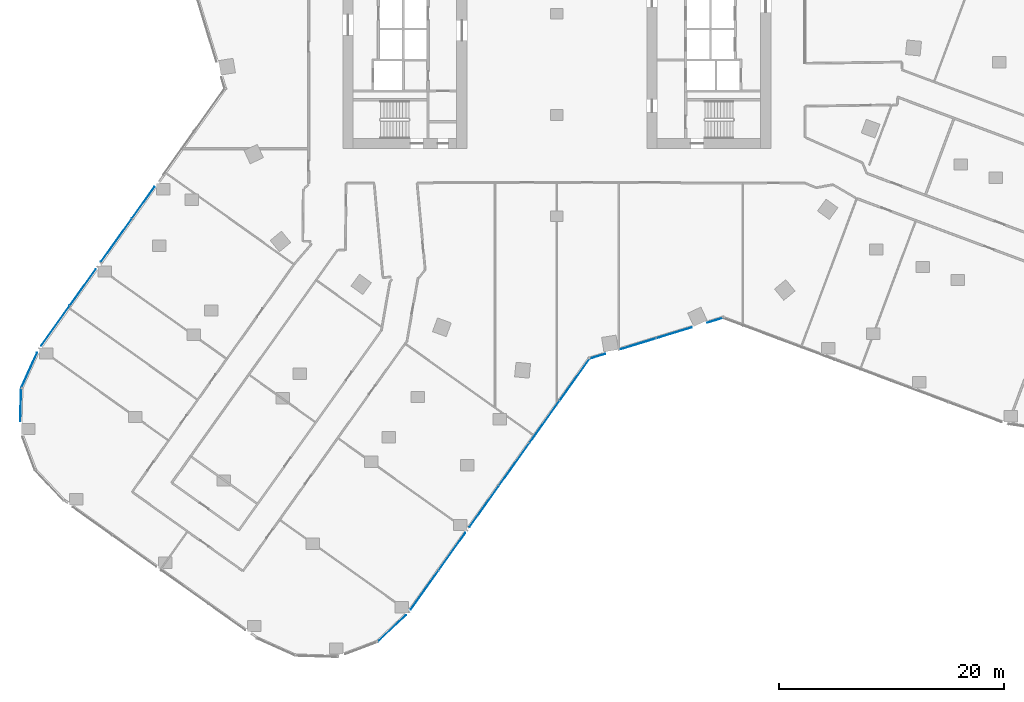
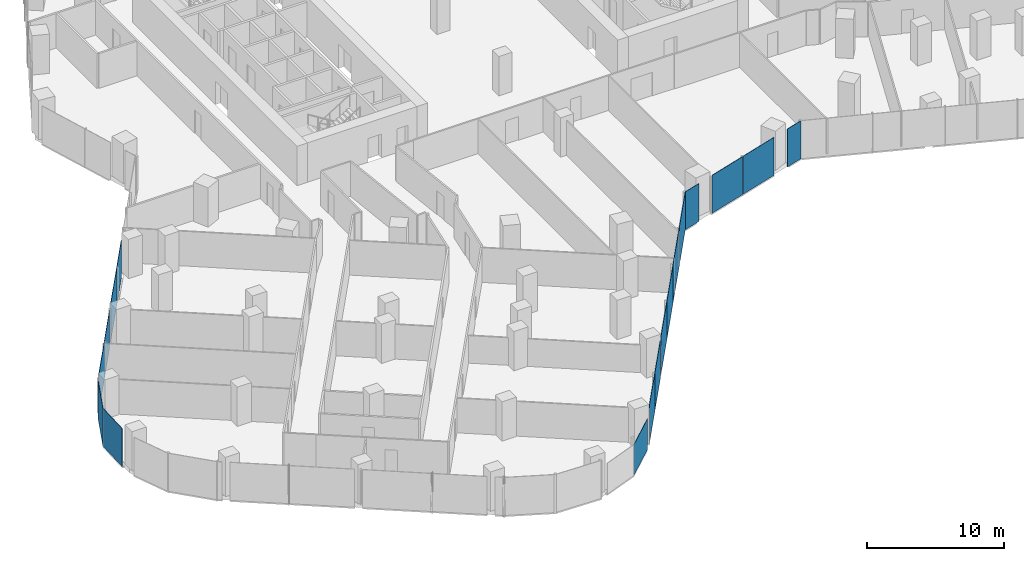
# One storey, part 17 of 31: 17 plates, 6 elements without a shape of their own.
"""IFC4 building model written with IfcOpenShell, lengths in metres."""

from ifc_helpers import new_model, si_unit, direction, frame, origin, origin_2d, place, context, subcontext, project, spatial, rectangle, extrude, material, layer, layer_set, type_object, element, aggregate, save


model = new_model("IFC4")

# Units and contexts
model_context = context("Model", 3, precision=1e-05, world=origin(), true_north=direction((0.0, 1.0)))
body_context = subcontext(model_context, "Body", "Model", "MODEL_VIEW")
ifc_project = project(units=[si_unit("LENGTHUNIT", "METRE"), si_unit("AREAUNIT", "SQUARE_METRE"), si_unit("VOLUMEUNIT", "CUBIC_METRE"), si_unit("PLANEANGLEUNIT", "RADIAN"), si_unit("MASSUNIT", "GRAM", prefix="KILO")], contexts=[model_context])

# Site, building, storey
site_placement = place(None, origin())
site = spatial("IfcSite", under=ifc_project, at=site_placement, CompositionType="ELEMENT")
building_placement = place(site_placement, origin())
building = spatial("IfcBuilding", under=site, at=building_placement, Name="Orlundy Tower", CompositionType="ELEMENT")
storey_placement = place(building_placement, frame((0.0, 0.0, 94.699951171875)))
storey = spatial("IfcBuildingStorey", under=building, at=storey_placement, Name="L23", CompositionType="ELEMENT", Elevation=94.699951171875)

# Curtain wall, plates
ifc_material_1 = material(Name="Aluminium bronze anodised", Category="aluminium")
curtain_wall_type = type_object("IfcCurtainWallType", Name="CW1 wall", PredefinedType="NOTDEFINED", material=ifc_material_1)
curtain_wall_1_placement = place(storey_placement, origin())
curtain_wall_1 = element("IfcCurtainWall", 1, at=curtain_wall_1_placement, inside=storey, type_object=curtain_wall_type, Name="CW1 run 00", PredefinedType="NOTDEFINED")
ifc_material_2 = material(Name="Tinted glass", Category="glass")
ifc_layer = layer(ifc_material_2, 0.031982421875)
ifc_layer_set = layer_set([ifc_layer], Name="CW1 glass panel 32")
plate_type = type_object("IfcPlateType", Name="CW1 glass panel 32", PredefinedType="CURTAIN_PANEL", material=ifc_layer_set)
plate_1_placement = place(storey_placement, frame((-44.547119140625, -27.729736328125, -0.27978515625), z_axis=(0.0, 0.0, 1.0), x_axis=(0.580700988829, 0.814116921316, 0.0)))
plate_1 = element("IfcPlate", 2, at=plate_1_placement, type_object=plate_type, Name="CW1 panel", PredefinedType="CURTAIN_PANEL", context=body_context, shape_type="SweptSolid", body=[
    extrude(rectangle(XDim=4.3486328125, YDim=0.031982421875, at=origin_2d()), origin(), (0.0, 0.0, 1.0), 3.3798828125),
])
plate_2_placement = place(storey_placement, frame((-42.10986328125, -24.312744140625, -0.27978515625), z_axis=(0.0, 0.0, 1.0), x_axis=(0.580700988829, 0.814116921316, 0.0)))
plate_2 = element("IfcPlate", 3, at=plate_2_placement, type_object=plate_type, Name="CW1 panel", PredefinedType="CURTAIN_PANEL", context=body_context, shape_type="SweptSolid", body=[
    extrude(rectangle(XDim=3.946044921875, YDim=0.031982421875, at=origin_2d()), origin(), (0.0, 0.0, 1.0), 3.3798828125),
])
plate_3_placement = place(storey_placement, frame((-39.127685546875, -20.132080078125, -0.27978515625), z_axis=(0.0, 0.0, 1.0), x_axis=(0.580700988829, 0.814116921316, 0.0)))
plate_3 = element("IfcPlate", 4, at=plate_3_placement, type_object=plate_type, Name="CW1 panel", PredefinedType="CURTAIN_PANEL", context=body_context, shape_type="SweptSolid", body=[
    extrude(rectangle(XDim=4.70556640625, YDim=0.031982421875, at=origin_2d()), origin(), (0.0, 0.0, 1.0), 3.3798828125),
])
plate_4_placement = place(storey_placement, frame((-36.74462890625, -16.791015625, -0.27978515625), z_axis=(0.0, 0.0, 1.0), x_axis=(0.580700988829, 0.814116921316, 0.0)))
plate_4 = element("IfcPlate", 5, at=plate_4_placement, type_object=plate_type, Name="CW1 panel", PredefinedType="CURTAIN_PANEL", context=body_context, shape_type="SweptSolid", body=[
    extrude(rectangle(XDim=3.40185546875, YDim=0.031982421875, at=origin_2d()), origin(), (0.0, 0.0, 1.0), 3.3798828125),
])
aggregate(curtain_wall_1, [plate_1, plate_2, plate_3, plate_4])

curtain_wall_2_placement = place(storey_placement, origin())
curtain_wall_2 = element("IfcCurtainWall", 6, at=curtain_wall_2_placement, inside=storey, type_object=curtain_wall_type, Name="CW1 run 017", PredefinedType="NOTDEFINED")
plate_5_placement = place(storey_placement, frame((14.0458984375, -27.248291015625, -0.27978515625), z_axis=(0.0, 0.0, 1.0), x_axis=(-0.956321102205, -0.292318233228, 0.0)))
plate_5 = element("IfcPlate", 7, at=plate_5_placement, type_object=plate_type, Name="CW1 panel", PredefinedType="CURTAIN_PANEL", context=body_context, shape_type="SweptSolid", body=[
    extrude(rectangle(XDim=1.44482421875, YDim=0.031982421875, at=origin_2d()), origin(), (0.0, 0.0, 1.0), 3.3798828125),
])
plate_6_placement = place(storey_placement, frame((10.412353515625, -28.35888671875, -0.27978515625), z_axis=(0.0, 0.0, 1.0), x_axis=(-0.956321102205, -0.292318233228, 0.0)))
plate_6 = element("IfcPlate", 8, at=plate_6_placement, type_object=plate_type, Name="CW1 panel", PredefinedType="CURTAIN_PANEL", context=body_context, shape_type="SweptSolid", body=[
    extrude(rectangle(XDim=3.281494140625, YDim=0.031982421875, at=origin_2d()), origin(), (0.0, 0.0, 1.0), 3.3798828125),
])
plate_7_placement = place(storey_placement, frame((7.226318359375, -29.332763671875, -0.27978515625), z_axis=(0.0, 0.0, 1.0), x_axis=(-0.956321102205, -0.292318233228, 0.0)))
plate_7 = element("IfcPlate", 9, at=plate_7_placement, type_object=plate_type, Name="CW1 panel", PredefinedType="CURTAIN_PANEL", context=body_context, shape_type="SweptSolid", body=[
    extrude(rectangle(XDim=3.28173828125, YDim=0.031982421875, at=origin_2d()), origin(), (0.0, 0.0, 1.0), 3.3798828125),
])
plate_8_placement = place(storey_placement, frame((3.59326171875, -30.443359375, -0.27978515625), z_axis=(0.0, 0.0, 1.0), x_axis=(-0.956321102205, -0.292318233228, 0.0)))
plate_8 = element("IfcPlate", 10, at=plate_8_placement, type_object=plate_type, Name="CW1 panel", PredefinedType="CURTAIN_PANEL", context=body_context, shape_type="SweptSolid", body=[
    extrude(rectangle(XDim=1.445556640625, YDim=0.031982421875, at=origin_2d()), origin(), (0.0, 0.0, 1.0), 3.3798828125),
])
aggregate(curtain_wall_2, [plate_5, plate_6, plate_7, plate_8])

curtain_wall_3_placement = place(storey_placement, origin())
curtain_wall_3 = element("IfcCurtainWall", 11, at=curtain_wall_3_placement, inside=storey, type_object=curtain_wall_type, Name="CW1 run 018", PredefinedType="NOTDEFINED")
plate_9_placement = place(storey_placement, frame((1.5810546875, -32.5068359375, -0.27978515625), z_axis=(0.0, 0.0, 1.0), x_axis=(-0.580710369629, -0.814110230009, 0.0)))
plate_9 = element("IfcPlate", 12, at=plate_9_placement, type_object=plate_type, Name="CW1 panel", PredefinedType="CURTAIN_PANEL", context=body_context, shape_type="SweptSolid", body=[
    extrude(rectangle(XDim=4.550048828125, YDim=0.031982421875, at=origin_2d()), origin(), (0.0, 0.0, 1.0), 3.3798828125),
])
plate_10_placement = place(storey_placement, frame((-1.09912109375, -36.26416015625, -0.27978515625), z_axis=(0.0, 0.0, 1.0), x_axis=(-0.580710369629, -0.814110230009, 0.0)))
plate_10 = element("IfcPlate", 13, at=plate_10_placement, type_object=plate_type, Name="CW1 panel", PredefinedType="CURTAIN_PANEL", context=body_context, shape_type="SweptSolid", body=[
    extrude(rectangle(XDim=4.580810546875, YDim=0.031982421875, at=origin_2d()), origin(), (0.0, 0.0, 1.0), 3.3798828125),
])
plate_11_placement = place(storey_placement, frame((-3.788330078125, -40.0341796875, -0.27978515625), z_axis=(0.0, 0.0, 1.0), x_axis=(-0.580710369629, -0.814110230009, 0.0)))
plate_11 = element("IfcPlate", 14, at=plate_11_placement, type_object=plate_type, Name="CW1 panel", PredefinedType="CURTAIN_PANEL", context=body_context, shape_type="SweptSolid", body=[
    extrude(rectangle(XDim=4.580810546875, YDim=0.031982421875, at=origin_2d()), origin(), (0.0, 0.0, 1.0), 3.3798828125),
])
plate_12_placement = place(storey_placement, frame((-6.461669921875, -43.781982421875, -0.27978515625), z_axis=(0.0, 0.0, 1.0), x_axis=(-0.580710369629, -0.814110230009, 0.0)))
plate_12 = element("IfcPlate", 15, at=plate_12_placement, type_object=plate_type, Name="CW1 panel", PredefinedType="CURTAIN_PANEL", context=body_context, shape_type="SweptSolid", body=[
    extrude(rectangle(XDim=4.5263671875, YDim=0.031982421875, at=origin_2d()), origin(), (0.0, 0.0, 1.0), 3.3798828125),
])
plate_13_placement = place(storey_placement, frame((-9.317138671875, -47.784912109375, -0.27978515625), z_axis=(0.0, 0.0, 1.0), x_axis=(-0.580710369629, -0.814110230009, 0.0)))
plate_13 = element("IfcPlate", 16, at=plate_13_placement, type_object=plate_type, Name="CW1 panel", PredefinedType="CURTAIN_PANEL", context=body_context, shape_type="SweptSolid", body=[
    extrude(rectangle(XDim=4.063232421875, YDim=0.031982421875, at=origin_2d()), origin(), (0.0, 0.0, 1.0), 3.3798828125),
])
plate_14_placement = place(storey_placement, frame((-11.75439453125, -51.201904296875, -0.27978515625), z_axis=(0.0, 0.0, 1.0), x_axis=(-0.580710369629, -0.814110230009, 0.0)))
plate_14 = element("IfcPlate", 17, at=plate_14_placement, type_object=plate_type, Name="CW1 panel", PredefinedType="CURTAIN_PANEL", context=body_context, shape_type="SweptSolid", body=[
    extrude(rectangle(XDim=4.231201171875, YDim=0.031982421875, at=origin_2d()), origin(), (0.0, 0.0, 1.0), 3.3798828125),
])
aggregate(curtain_wall_3, [plate_9, plate_10, plate_11, plate_12, plate_13, plate_14])

# Curtain wall, plate
curtain_wall_4_placement = place(storey_placement, origin())
curtain_wall_4 = element("IfcCurtainWall", 18, at=curtain_wall_4_placement, inside=storey, type_object=curtain_wall_type, Name="CW1 run 019", PredefinedType="NOTDEFINED")
plate_15_placement = place(storey_placement, frame((-14.67724609375, -54.623291015625, -0.27978515625), z_axis=(0.0, 0.0, 1.0), x_axis=(-0.72823167665, -0.685331033241, 0.0)))
plate_15 = element("IfcPlate", 19, at=plate_15_placement, type_object=plate_type, Name="CW1 panel", PredefinedType="CURTAIN_PANEL", context=body_context, shape_type="SweptSolid", body=[
    extrude(rectangle(XDim=3.479736328125, YDim=0.031982421875, at=origin_2d()), origin(), (0.0, 0.0, 1.0), 2.739990234375),
])
aggregate(curtain_wall_4, [plate_15])

curtain_wall_5_placement = place(storey_placement, origin())
curtain_wall_5 = element("IfcCurtainWall", 20, at=curtain_wall_5_placement, inside=storey, type_object=curtain_wall_type, Name="CW1 run 026", PredefinedType="NOTDEFINED")
plate_16_placement = place(storey_placement, frame((-47.62890625, -34.71923828125, -0.27978515625), z_axis=(0.0, 0.0, 1.0), x_axis=(0.030485149754, 0.999535219812, 0.0)))
plate_16 = element("IfcPlate", 21, at=plate_16_placement, type_object=plate_type, Name="CW1 panel", PredefinedType="CURTAIN_PANEL", context=body_context, shape_type="SweptSolid", body=[
    extrude(rectangle(XDim=2.945068359375, YDim=0.031982421875, at=origin_2d()), origin(), (0.0, 0.0, 1.0), 3.3798828125),
])
aggregate(curtain_wall_5, [plate_16])

curtain_wall_6_placement = place(storey_placement, origin())
curtain_wall_6 = element("IfcCurtainWall", 22, at=curtain_wall_6_placement, inside=storey, type_object=curtain_wall_type, Name="CW1 run 027", PredefinedType="NOTDEFINED")
plate_17_placement = place(storey_placement, frame((-46.87744140625, -31.679931640625, -0.27978515625), z_axis=(0.0, 0.0, 1.0), x_axis=(0.410914311157, 0.911673970719, 0.0)))
plate_17 = element("IfcPlate", 23, at=plate_17_placement, type_object=plate_type, Name="CW1 panel", PredefinedType="CURTAIN_PANEL", context=body_context, shape_type="SweptSolid", body=[
    extrude(rectangle(XDim=3.4384765625, YDim=0.031982421875, at=origin_2d()), origin(), (0.0, 0.0, 1.0), 3.3798828125),
])
aggregate(curtain_wall_6, [plate_17])

save(model, "model.ifc")
